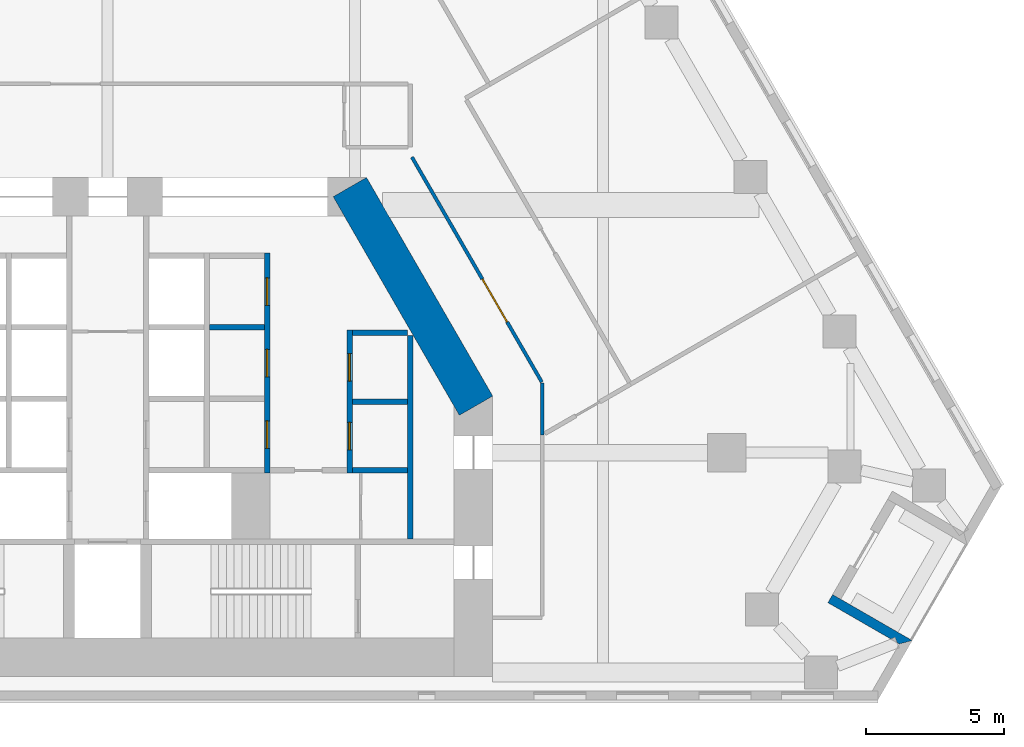
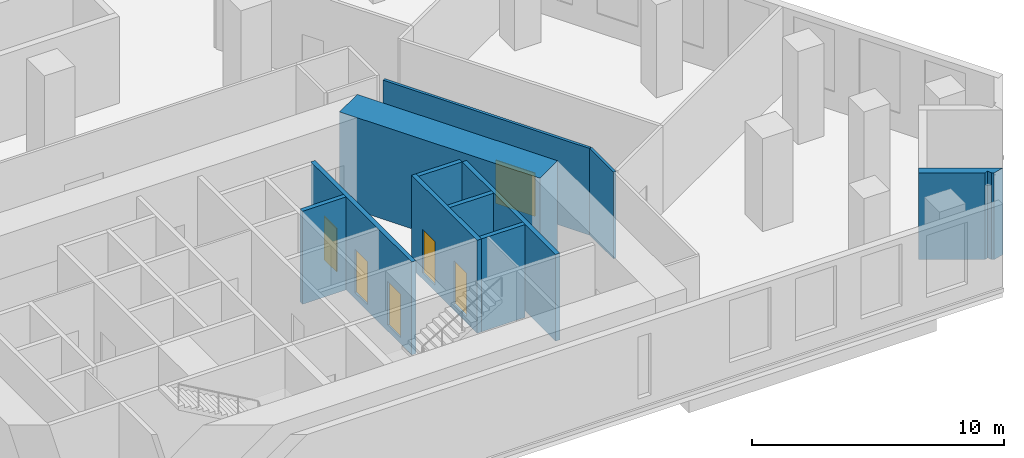
# One storey, part 6 of 14: 11 walls, 6 doors, 6 openings.
"""IFC4 building model written with IfcOpenShell, lengths in metres."""

import ifcopenshell
import ifcopenshell.guid

model = None  # the IFC model being written
_history = None  # IfcOwnerHistory: only IFC2X3 demands one
_inside = {}  # id of a spatial element -> (the spatial element, [elements in it])
_under = {}  # id of a project, library or spatial element -> (it, [spatial elements below it])
_declared = {}  # id of a project -> (the project, [libraries it declares])
_typed = {}  # id of a type object -> (the type object, [elements of that type])
_made_of = {}  # id of a material, layer set ... -> (it, [elements and type objects made of it])


def new_model(schema):
    """Start an empty IFC model of exactly this schema.

    Asked for "IFC4X3", IfcOpenShell would pick the latest addendum, in which some entities
    have other attributes; the version numbers below select the first issue.
    IFC2X3 requires an IfcOwnerHistory on every rooted entity: one is made here for all.
    """
    global model, _history
    if schema == "IFC4X3":
        model = ifcopenshell.file(schema_version=(4, 3, 0, 0))
    else:
        model = ifcopenshell.file(schema=schema)
    _inside.clear()
    _under.clear()
    _declared.clear()
    _typed.clear()
    _made_of.clear()
    _history = None
    if model.schema == "IFC2X3":
        org = make("IfcOrganization", Name="unknown")
        user = make(
            "IfcPersonAndOrganization",
            ThePerson=make("IfcPerson", FamilyName="unknown"),
            TheOrganization=org,
        )
        app = make(
            "IfcApplication",
            ApplicationDeveloper=org,
            Version="unknown",
            ApplicationFullName="unknown",
            ApplicationIdentifier="unknown",
        )
        _history = make(
            "IfcOwnerHistory",
            OwningUser=user,
            OwningApplication=app,
            ChangeAction="ADDED",
            CreationDate=0,
        )
    return model


def make(cls, **values):
    """One entity of the class cls with the attributes given. An attribute that is None is left unset."""
    return model.create_entity(
        cls, **{name: value for name, value in values.items() if value is not None}
    )


def rooted(cls, **values):
    """An entity with a GlobalId (a new one), such as an element, a storey or a relation."""
    return make(cls, GlobalId=ifcopenshell.guid.new(), OwnerHistory=_history, **values)


def si_unit(unit_type, name, prefix=None):
    """IfcSIUnit, for example si_unit("LENGTHUNIT", "METRE", prefix="MILLI")."""
    return make("IfcSIUnit", UnitType=unit_type, Prefix=prefix, Name=name)


def assignment(units):
    """IfcUnitAssignment: the units of a project."""
    return None if units is None else make("IfcUnitAssignment", Units=units)


def point(xyz):
    """IfcCartesianPoint."""
    return None if xyz is None else make("IfcCartesianPoint", Coordinates=xyz)


def direction(xyz):
    """IfcDirection."""
    return None if xyz is None else make("IfcDirection", DirectionRatios=xyz)


def frame(location, z_axis=None, x_axis=None):
    """IfcAxis2Placement3D, a coordinate frame: its origin and axes. An axis left out is left unset."""
    return make(
        "IfcAxis2Placement3D",
        Location=point(location),
        Axis=direction(z_axis),
        RefDirection=direction(x_axis),
    )


def frame_2d(location, x_axis=None):
    """IfcAxis2Placement2D, a coordinate frame in the plane: its origin and x axis."""
    return make(
        "IfcAxis2Placement2D", Location=point(location), RefDirection=direction(x_axis)
    )


def origin():
    """The frame at (0, 0, 0) with its axes left unset."""
    return frame((0.0, 0.0, 0.0))


def place(relative_to, where):
    """IfcLocalPlacement: puts the frame where relative to a parent placement (None: the world)."""
    return make(
        "IfcLocalPlacement", PlacementRelTo=relative_to, RelativePlacement=where
    )


def context(
    kind, dimensions, precision=None, world=None, true_north=None, identifier=None
):
    """IfcGeometricRepresentationContext, for example the 3D "Model" context."""
    return make(
        "IfcGeometricRepresentationContext",
        ContextIdentifier=identifier,
        ContextType=kind,
        CoordinateSpaceDimension=dimensions,
        Precision=precision,
        WorldCoordinateSystem=world,
        TrueNorth=true_north,
    )


def subcontext(parent, identifier, kind, view, scale=None):
    """IfcGeometricRepresentationSubContext, for example "Body" below "Model"."""
    return make(
        "IfcGeometricRepresentationSubContext",
        ContextIdentifier=identifier,
        ContextType=kind,
        ParentContext=parent,
        TargetScale=scale,
        TargetView=view,
    )


def project(units=None, contexts=None):
    """IfcProject with its units and contexts."""
    return rooted(
        "IfcProject",
        Name="project",
        RepresentationContexts=contexts,
        UnitsInContext=assignment(units),
    )


def spatial(cls, under=None, at=None, **own):
    """A site, building, storey or space (cls), placed at a placement, below another one or the project."""
    s = rooted(cls, ObjectPlacement=at, **own)
    if under is not None:
        _under.setdefault(under.id(), (under, []))[1].append(s)
    return s


def polyline(points):
    """IfcPolyline through the points."""
    return make("IfcPolyline", Points=[point(p) for p in points])


def profile(cls, at=None, kind="AREA", **sizes):
    """A parametric profile (cls). Its sizes go by their IFC names, for example OverallWidth=200.0."""
    return make(cls, ProfileType=kind, Position=at, **sizes)


def rectangle(**sizes):
    """IfcRectangleProfileDef."""
    return profile("IfcRectangleProfileDef", **sizes)


def outline(outer, holes=None, kind="AREA"):
    """IfcArbitraryClosedProfileDef: a profile drawn as a closed curve; with holes, ...WithVoids."""
    if holes is None:
        return make("IfcArbitraryClosedProfileDef", ProfileType=kind, OuterCurve=outer)
    return make(
        "IfcArbitraryProfileDefWithVoids",
        ProfileType=kind,
        OuterCurve=outer,
        InnerCurves=holes,
    )


def extrude(swept, where, along, depth):
    """IfcExtrudedAreaSolid: the profile swept, set in the frame where, extruded along a direction by depth."""
    return make(
        "IfcExtrudedAreaSolid",
        SweptArea=swept,
        Position=where,
        ExtrudedDirection=direction(along),
        Depth=depth,
    )


def shape(context_of_items, identifier, shape_type, items):
    """IfcShapeRepresentation: the items that make up one representation, for example the "Body"."""
    return make(
        "IfcShapeRepresentation",
        ContextOfItems=context_of_items,
        RepresentationIdentifier=identifier,
        RepresentationType=shape_type,
        Items=items,
    )


def material(Name=None, Category=None):
    """IfcMaterial."""
    return make("IfcMaterial", Name=Name, Category=Category)


def layer(
    of_material, thickness, ventilated=None, Name=None, Category=None, Priority=None
):
    """IfcMaterialLayer: one layer of a wall or slab, of a material (None: an air gap)."""
    return make(
        "IfcMaterialLayer",
        Material=of_material,
        LayerThickness=thickness,
        IsVentilated=ventilated,
        Name=Name,
        Category=Category,
        Priority=Priority,
    )


def layer_set(layers, Name=None):
    """IfcMaterialLayerSet."""
    return make("IfcMaterialLayerSet", MaterialLayers=layers, LayerSetName=Name)


def made_of(thing, what):
    """Note that an element or type object is made of a material, layer set ...; save() writes the relation."""
    if what is not None:
        _made_of.setdefault(what.id(), (what, []))[1].append(thing)
    return thing


def type_object(cls, material=None, **own):
    """A type object (cls), such as IfcWallType, which elements share."""
    return made_of(rooted(cls, **own), material)


def element(
    cls,
    number,
    at=None,
    inside=None,
    cuts=None,
    type_object=None,
    material=None,
    context=None,
    identifier="Body",
    shape_type=None,
    held_by="IfcProductDefinitionShape",
    body=None,
    shapes=None,
    **own,
):
    """One element of the class cls, such as IfcWall. Its Tag is "e" and its number.

    at: its placement. inside: the storey or other place that contains it. cuts: it is an
    opening in that element (IfcRelVoidsElement). A single representation is given by context,
    identifier, shape_type and body (its items); several are given by shapes. held_by: the class
    of the entity that holds the representations. save() writes the other relations.
    """
    e = rooted(cls, Tag="e%d" % number, ObjectPlacement=at, **own)
    if body is not None:
        shapes = [shape(context, identifier, shape_type, body)]
    if shapes is not None:
        e.Representation = make(held_by, Representations=shapes)
    if inside is not None:
        _inside.setdefault(inside.id(), (inside, []))[1].append(e)
    if cuts is not None:
        rooted(
            "IfcRelVoidsElement", RelatingBuildingElement=cuts, RelatedOpeningElement=e
        )
    if type_object is not None:
        _typed.setdefault(type_object.id(), (type_object, []))[1].append(e)
    return made_of(e, material)


def fill(opening, filler):
    """IfcRelFillsElement: the door or window that sits in an opening."""
    return rooted(
        "IfcRelFillsElement",
        RelatingOpeningElement=opening,
        RelatedBuildingElement=filler,
    )


def aggregate(whole, parts):
    """IfcRelAggregates: a whole, such as a stair, and the parts it consists of."""
    return rooted("IfcRelAggregates", RelatingObject=whole, RelatedObjects=parts)


def save(model, path):
    """Write the relations noted so far, then the file.

    IfcRelAggregates (storeys below a building ...), IfcRelContainedInSpatialStructure (elements
    in a storey), IfcRelDefinesByType, IfcRelAssociatesMaterial and IfcRelDeclares: one each for
    every whole, place, type object, material and project.
    """
    for whole, parts in _under.values():
        aggregate(whole, parts)
    for where, things in _inside.values():
        rooted(
            "IfcRelContainedInSpatialStructure",
            RelatedElements=things,
            RelatingStructure=where,
        )
    for kind, things in _typed.values():
        rooted("IfcRelDefinesByType", RelatedObjects=things, RelatingType=kind)
    for what, things in _made_of.values():
        rooted("IfcRelAssociatesMaterial", RelatedObjects=things, RelatingMaterial=what)
    for by, libraries in _declared.values():
        rooted("IfcRelDeclares", RelatingContext=by, RelatedDefinitions=libraries)
    model.write(path)


model = new_model("IFC4")

# Units and contexts
model_context = context("Model", 3, precision=1e-05, world=origin(), true_north=direction((0.0, 1.0)))
body_context = subcontext(model_context, "Body", "Model", "MODEL_VIEW")
ifc_project = project(units=[si_unit("LENGTHUNIT", "METRE"), si_unit("AREAUNIT", "SQUARE_METRE"), si_unit("VOLUMEUNIT", "CUBIC_METRE"), si_unit("PLANEANGLEUNIT", "RADIAN"), si_unit("MASSUNIT", "GRAM", prefix="KILO")], contexts=[model_context])

# Site, building, storey
site_placement = place(None, origin())
site = spatial("IfcSite", under=ifc_project, at=site_placement, CompositionType="ELEMENT")
building_placement = place(site_placement, origin())
building = spatial("IfcBuilding", under=site, at=building_placement, Name="Fogline Exchange Tower", CompositionType="ELEMENT")
storey_placement = place(building_placement, frame((0.0, 0.0, 29.5)))
storey = spatial("IfcBuildingStorey", under=building, at=storey_placement, Name="L05", CompositionType="ELEMENT", Elevation=29.5)

# Wall
ifc_material_1 = material(Name="Concrete C40", Category="concrete")
ifc_layer_1 = layer(ifc_material_1, 0.199951171875)
ifc_layer_set_1 = layer_set([ifc_layer_1], Name="CW20")
wall_type_1 = type_object("IfcWallType", Name="CW20", PredefinedType="SOLIDWALL", material=ifc_layer_set_1)
wall_1_placement = place(storey_placement, frame((11.0, 5.85009765625, 0.0), z_axis=(0.0, 0.0, 1.0), x_axis=(0.0, 1.0, 0.0)))
element("IfcWall", 1, at=wall_1_placement, inside=storey, type_object=wall_type_1, Name="Service room wall", PredefinedType="SOLIDWALL", context=body_context, shape_type="SweptSolid", body=[
    extrude(rectangle(XDim=7.39990234375, YDim=0.199951171875, at=frame_2d((3.699951171875, 0.0))), origin(), (0.0, 0.0, 1.0), 4.199951171875),
])

# Wall, openings, doors
ifc_layer_2 = layer(ifc_material_1, 0.199951171875)
ifc_layer_set_2 = layer_set([ifc_layer_2], Name="CW20S")
wall_type_2 = type_object("IfcWallType", Name="CW20S", PredefinedType="SOLIDWALL", material=ifc_layer_set_2)
wall_2_placement = place(storey_placement, frame((8.800048828125, 8.25, -0.300048828125), z_axis=(0.0, 0.0, 1.0), x_axis=(0.0, 1.0, 0.0)))
wall_2 = element("IfcWall", 2, at=wall_2_placement, inside=storey, type_object=wall_type_2, Name="Lift shaft wall", PredefinedType="SOLIDWALL", context=body_context, shape_type="SweptSolid", body=[
    extrude(rectangle(XDim=5.199951171875, YDim=0.199951171875, at=frame_2d((2.60009765625, 0.0))), origin(), (0.0, 0.0, 1.0), 4.5),
])
opening_1_placement = place(wall_2_placement, frame((0.85009765625, 0.0, 0.300048828125)))
opening_1 = element("IfcOpeningElement", 3, at=opening_1_placement, cuts=wall_2, Name="Opening T01-C001", PredefinedType="OPENING", context=body_context, shape_type="SweptSolid", body=[
    extrude(rectangle(XDim=1.0, YDim=2.10009765625, at=frame_2d((0.5, 1.050048828125))), frame((0.0, 0.10986328125, 0.0), z_axis=(0.0, -1.0, 0.0), x_axis=(1.0, 0.0, 0.0)), (0.0, 0.0, 1.0), 0.219970703125),
])
opening_2_placement = place(wall_2_placement, frame((3.35009765625, 0.0, 0.300048828125)))
opening_2 = element("IfcOpeningElement", 4, at=opening_2_placement, cuts=wall_2, Name="Opening T01-C002", PredefinedType="OPENING", context=body_context, shape_type="SweptSolid", body=[
    extrude(rectangle(XDim=1.0, YDim=2.10009765625, at=frame_2d((0.5, 1.050048828125))), frame((0.0, 0.10986328125, 0.0), z_axis=(0.0, -1.0, 0.0), x_axis=(1.0, 0.0, 0.0)), (0.0, 0.0, 1.0), 0.219970703125),
])
ifc_material_2 = material(Name="Steel and timber fire door", Category="steel")
door_type_1 = type_object("IfcDoorType", Name="D-RM1", OperationType="SINGLE_SWING_LEFT", PredefinedType="DOOR", material=ifc_material_2)
door_1_placement = place(opening_1_placement, frame((1.0, 0.0, 0.0), z_axis=(0.0, 0.0, 1.0), x_axis=(-1.0, 0.0, 0.0)))
door_1 = element("IfcDoor", 5, at=door_1_placement, inside=storey, type_object=door_type_1, Name="Door to Cable Store", OperationType="SINGLE_SWING_LEFT", OverallHeight=2.10009765625, OverallWidth=1.0, PredefinedType="DOOR", context=body_context, shape_type="SweptSolid", body=[
    extrude(rectangle(XDim=1.0, YDim=2.10009765625, at=frame_2d((0.5, 1.050048828125))), frame((0.0, 0.02490234375, 0.0), z_axis=(0.0, -1.0, 0.0), x_axis=(1.0, 0.0, 0.0)), (0.0, 0.0, 1.0), 0.050048828125),
])
fill(opening_1, door_1)
door_2_placement = place(opening_2_placement, frame((1.0, 0.0, 0.0), z_axis=(0.0, 0.0, 1.0), x_axis=(-1.0, 0.0, 0.0)))
door_2 = element("IfcDoor", 6, at=door_2_placement, inside=storey, type_object=door_type_1, Name="Door to Server Room", OperationType="SINGLE_SWING_LEFT", OverallHeight=2.10009765625, OverallWidth=1.0, PredefinedType="DOOR", context=body_context, shape_type="SweptSolid", body=[
    extrude(rectangle(XDim=1.0, YDim=2.10009765625, at=frame_2d((0.5, 1.050048828125))), frame((0.0, 0.02490234375, 0.0), z_axis=(0.0, -1.0, 0.0), x_axis=(1.0, 0.0, 0.0)), (0.0, 0.0, 1.0), 0.050048828125),
])
fill(opening_2, door_2)

wall_3_placement = place(storey_placement, frame((5.800048828125, 8.25, -0.300048828125), z_axis=(0.0, 0.0, 1.0), x_axis=(0.0, 1.0, 0.0)))
wall_3 = element("IfcWall", 7, at=wall_3_placement, inside=storey, type_object=wall_type_2, Name="Lift shaft wall", PredefinedType="SOLIDWALL", context=body_context, shape_type="SweptSolid", body=[
    extrude(rectangle(XDim=8.0, YDim=0.199951171875, at=frame_2d((4.0, 0.0))), origin(), (0.0, 0.0, 1.0), 4.5),
])
opening_3_placement = place(wall_3_placement, frame((0.89990234375, 0.0, 0.300048828125)))
opening_3 = element("IfcOpeningElement", 8, at=opening_3_placement, cuts=wall_3, Name="Opening T01-C003", PredefinedType="OPENING", context=body_context, shape_type="SweptSolid", body=[
    extrude(rectangle(XDim=1.0, YDim=2.10009765625, at=frame_2d((0.5, 1.050048828125))), frame((0.0, 0.10986328125, 0.0), z_axis=(0.0, -1.0, 0.0), x_axis=(1.0, 0.0, 0.0)), (0.0, 0.0, 1.0), 0.219970703125),
])
opening_4_placement = place(wall_3_placement, frame((3.5, 0.0, 0.300048828125)))
opening_4 = element("IfcOpeningElement", 9, at=opening_4_placement, cuts=wall_3, Name="Opening T01-C004", PredefinedType="OPENING", context=body_context, shape_type="SweptSolid", body=[
    extrude(rectangle(XDim=1.0, YDim=2.10009765625, at=frame_2d((0.5, 1.050048828125))), frame((0.0, 0.10986328125, 0.0), z_axis=(0.0, -1.0, 0.0), x_axis=(1.0, 0.0, 0.0)), (0.0, 0.0, 1.0), 0.219970703125),
])
opening_5_placement = place(wall_3_placement, frame((6.10009765625, 0.0, 0.300048828125)))
opening_5 = element("IfcOpeningElement", 10, at=opening_5_placement, cuts=wall_3, Name="Opening T01-C005", PredefinedType="OPENING", context=body_context, shape_type="SweptSolid", body=[
    extrude(rectangle(XDim=1.0, YDim=2.10009765625, at=frame_2d((0.5, 1.050048828125))), frame((0.0, 0.10986328125, 0.0), z_axis=(0.0, -1.0, 0.0), x_axis=(1.0, 0.0, 0.0)), (0.0, 0.0, 1.0), 0.219970703125),
])
door_3_placement = place(opening_3_placement, origin())
door_3 = element("IfcDoor", 11, at=door_3_placement, inside=storey, type_object=door_type_1, Name="Door to Archive Store", OperationType="SINGLE_SWING_RIGHT", OverallHeight=2.10009765625, OverallWidth=1.0, PredefinedType="DOOR", context=body_context, shape_type="SweptSolid", body=[
    extrude(rectangle(XDim=1.0, YDim=2.10009765625, at=frame_2d((0.5, 1.050048828125))), frame((0.0, 0.02490234375, 0.0), z_axis=(0.0, -1.0, 0.0), x_axis=(1.0, 0.0, 0.0)), (0.0, 0.0, 1.0), 0.050048828125),
])
fill(opening_3, door_3)
door_4_placement = place(opening_4_placement, origin())
door_4 = element("IfcDoor", 12, at=door_4_placement, inside=storey, type_object=door_type_1, Name="Door to Library Store", OperationType="SINGLE_SWING_LEFT", OverallHeight=2.10009765625, OverallWidth=1.0, PredefinedType="DOOR", context=body_context, shape_type="SweptSolid", body=[
    extrude(rectangle(XDim=1.0, YDim=2.10009765625, at=frame_2d((0.5, 1.050048828125))), frame((0.0, 0.02490234375, 0.0), z_axis=(0.0, -1.0, 0.0), x_axis=(1.0, 0.0, 0.0)), (0.0, 0.0, 1.0), 0.050048828125),
])
fill(opening_4, door_4)
door_5_placement = place(opening_5_placement, origin())
door_5 = element("IfcDoor", 13, at=door_5_placement, inside=storey, type_object=door_type_1, Name="Door to Stationery Store", OperationType="SINGLE_SWING_LEFT", OverallHeight=2.10009765625, OverallWidth=1.0, PredefinedType="DOOR", context=body_context, shape_type="SweptSolid", body=[
    extrude(rectangle(XDim=1.0, YDim=2.10009765625, at=frame_2d((0.5, 1.050048828125))), frame((0.0, 0.02490234375, 0.0), z_axis=(0.0, -1.0, 0.0), x_axis=(1.0, 0.0, 0.0)), (0.0, 0.0, 1.0), 0.050048828125),
])
fill(opening_5, door_5)

# Walls
for number, where, z_axis, x_axis, name in (
    (14, (8.89990234375, 8.35009765625, -0.300048828125), (0.0, 0.0, 1.0), (1.0, 0.0, 0.0), "Lift shaft wall"),
    (15, (8.89990234375, 10.85009765625, -0.300048828125), (0.0, 0.0, 1.0), (1.0, 0.0, 0.0), "Lift shaft wall"),
    (16, (8.89990234375, 13.35009765625, -0.300048828125), (0.0, 0.0, 1.0), (1.0, 0.0, 0.0), "Lift shaft wall"),
    (17, (3.699951171875, 13.550048828125, -0.300048828125), (0.0, 0.0, 1.0), (1.0, 0.0, 0.0), "Lift shaft wall"),
):
    element("IfcWall", number, at=place(storey_placement, frame(where, z_axis=z_axis, x_axis=x_axis)), inside=storey, type_object=wall_type_2, Name=name, PredefinedType="SOLIDWALL", context=body_context, shape_type="SweptSolid", body=[
        extrude(rectangle(XDim=2.0, YDim=0.199951171875, at=frame_2d((1.0, 0.0))), origin(), (0.0, 0.0, 1.0), 4.5),
    ])
ifc_material_3 = material(Name="Brick masonry", Category="masonry")
ifc_layer_3 = layer(ifc_material_3, 0.340087890625)
ifc_layer_set_3 = layer_set([ifc_layer_3], Name="FW1")
wall_type_3 = type_object("IfcWallType", Name="FW1", PredefinedType="SOLIDWALL", material=ifc_layer_set_3)
wall_4_placement = place(storey_placement, origin())
element("IfcWall", 18, at=wall_4_placement, inside=storey, type_object=wall_type_3, Name="Brick wall L05 SE-s1", PredefinedType="SOLIDWALL", context=body_context, shape_type="SweptSolid", body=[
    extrude(outline(polyline([(26.357177734375, 3.8359375), (26.652099609375, 3.66552734375), (29.251220703125, 2.1650390625), (29.251220703125, 2.164794921875), (28.785400390625, 2.0400390625), (28.69677734375, 2.091064453125), (28.623046875, 2.278076171875), (28.474609375, 2.219482421875), (26.186767578125, 3.540283203125), (26.357177734375, 3.8359375)])), origin(), (0.0, 0.0, 1.0), 4.199951171875),
])

# Wall, opening, door
ifc_material_4 = material(Name="Plasterboard corridor partition with mineral wool, 2 layers each side")
ifc_layer_4 = layer(ifc_material_4, 0.125)
ifc_layer_set_4 = layer_set([ifc_layer_4], Name="PW2")
wall_type_4 = type_object("IfcWallType", Name="PW2", PredefinedType="PARTITIONING", material=ifc_layer_set_4)
wall_5_placement = place(storey_placement, frame((11.0625, 19.740478515625, 0.0), z_axis=(0.0, 0.0, 1.0), x_axis=(0.499995462694, -0.866028023383, 0.0)))
wall_5 = element("IfcWall", 19, at=wall_5_placement, inside=storey, type_object=wall_type_4, Name="wall-L05-W001", PredefinedType="PARTITIONING", context=body_context, shape_type="SweptSolid", body=[
    extrude(rectangle(XDim=9.44384765625, YDim=0.125, at=frame_2d((4.721923828125, 0.0))), origin(), (0.0, 0.0, 1.0), 4.199951171875),
])
opening_6_placement = place(wall_5_placement, frame((5.120849609375, 0.0, 0.0)))
opening_6 = element("IfcOpeningElement", 20, at=opening_6_placement, cuts=wall_5, Name="Opening T01-D001", PredefinedType="OPENING", context=body_context, shape_type="SweptSolid", body=[
    extrude(rectangle(XDim=1.800048828125, YDim=2.10009765625, at=frame_2d((0.89990234375, 1.050048828125))), frame((0.0, 0.072509765625, 0.0), z_axis=(0.0, -1.0, 0.0), x_axis=(1.0, 0.0, 0.0)), (0.0, 0.0, 1.0), 0.14501953125),
])
ifc_material_5 = material(Name="Fire-rated timber door leaves with steel frame", Category="steel")
door_type_2 = type_object("IfcDoorType", Name="D4", OperationType="DOUBLE_DOOR_SINGLE_SWING", PredefinedType="DOOR", material=ifc_material_5)
door_6_placement = place(opening_6_placement, frame((1.800048828125, 0.0, 0.0), z_axis=(0.0, 0.0, 1.0), x_axis=(-1.0, 0.0, 0.0)))
door_6 = element("IfcDoor", 21, at=door_6_placement, inside=storey, type_object=door_type_2, Name="door-L05-D001", OperationType="DOUBLE_DOOR_SINGLE_SWING", OverallHeight=2.10009765625, OverallWidth=1.800048828125, PredefinedType="DOOR", context=body_context, shape_type="SweptSolid", body=[
    extrude(rectangle(XDim=1.800048828125, YDim=2.10009765625, at=frame_2d((0.89990234375, 1.050048828125))), frame((0.0, 0.02490234375, 0.0), z_axis=(0.0, -1.0, 0.0), x_axis=(1.0, 0.0, 0.0)), (0.0, 0.0, 1.0), 0.050048828125),
])
fill(opening_6, door_6)

# Walls
wall_6_placement = place(storey_placement, frame((15.800048828125, 11.534912109375, 0.0), z_axis=(0.0, 0.0, 1.0), x_axis=(0.0, -1.0, 0.0)))
element("IfcWall", 22, at=wall_6_placement, inside=storey, type_object=wall_type_4, Name="wall-L05-W002", PredefinedType="PARTITIONING", context=body_context, shape_type="SweptSolid", body=[
    extrude(rectangle(XDim=1.90185546875, YDim=0.125, at=frame_2d((0.950927734375, 0.0))), origin(), (0.0, 0.0, 1.0), 4.199951171875),
])
ifc_material_6 = material(Name="Concrete C60", Category="concrete")
ifc_layer_5 = layer(ifc_material_6, 1.39990234375)
ifc_layer_set_5 = layer_set([ifc_layer_5], Name="SW01")
wall_type_5 = type_object("IfcWallType", Name="SW01", PredefinedType="SHEAR", material=ifc_layer_set_5)
wall_7_placement = place(storey_placement, frame((13.393798828125, 10.70263671875, 0.0), z_axis=(0.0, 0.0, 1.0), x_axis=(-0.50000187635, 0.866024320471, 0.0)))
element("IfcWall", 23, at=wall_7_placement, inside=storey, type_object=wall_type_5, Name="L05-W903", PredefinedType="SHEAR", context=body_context, shape_type="SweptSolid", body=[
    extrude(rectangle(XDim=9.1767578125, YDim=1.39990234375, at=frame_2d((4.58837890625, 0.0))), origin(), (0.0, 0.0, 1.0), 4.5),
])

save(model, "model.ifc")
